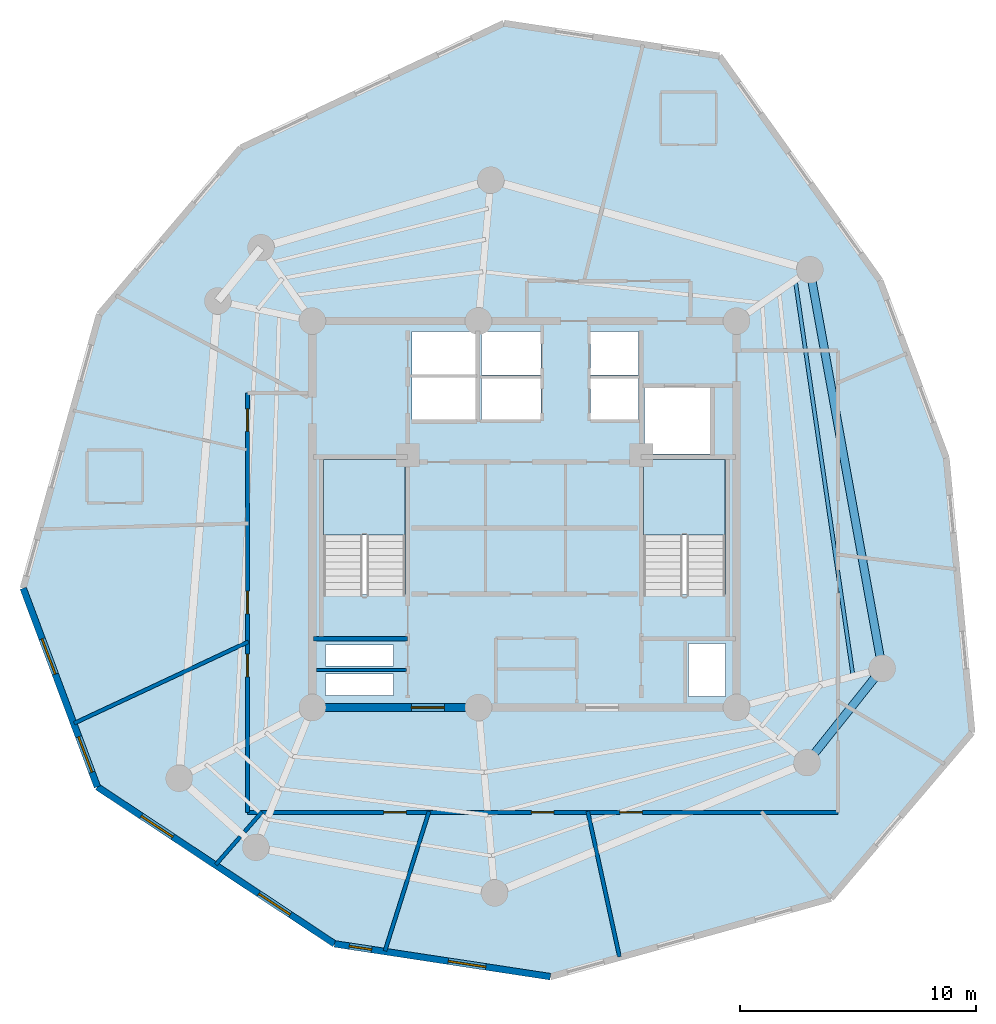
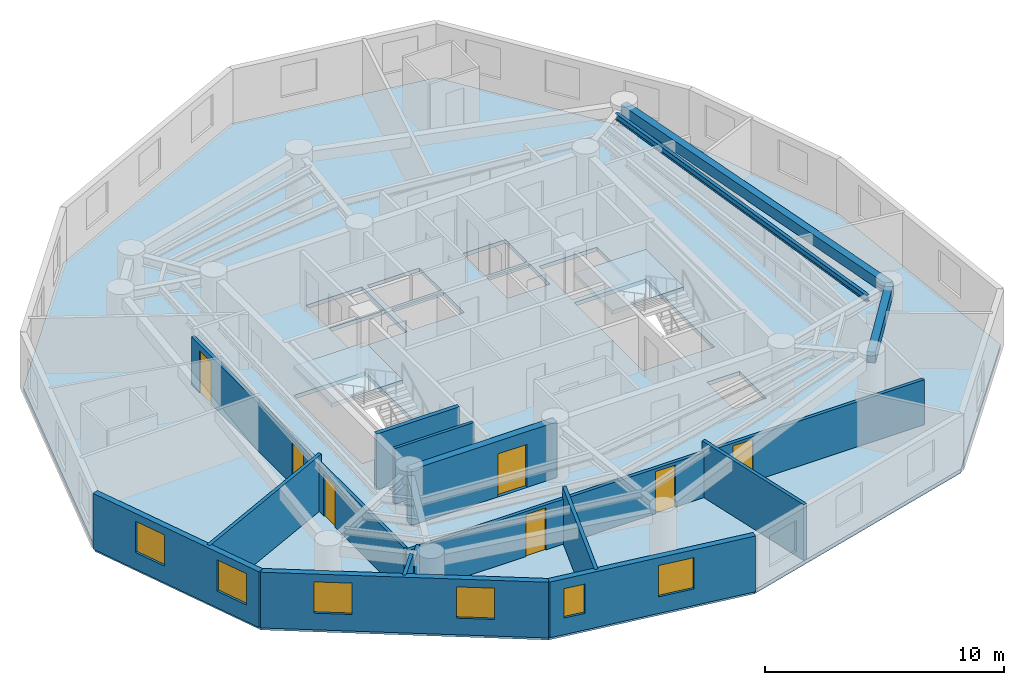
# One storey, part 2 of 7: 13 walls, 7 doors, 6 windows, 3 beams, 3 slabs, 13 openings, 2 elements without a shape of their own.
"""IFC4 building model written with IfcOpenShell, lengths in metres."""

from ifc_helpers import new_model, si_unit, direction, frame, frame_2d, origin, origin_with_axes, origin_2d, place, context, subcontext, project, spatial, polyline, rectangle, i_section, outline, extrude, source, transform, mapped, material, layer, layer_set, material_profile, profile_set, type_object, element, fill, aggregate, save


model = new_model("IFC4")

# Units and contexts
model_context = context("Model", 3, precision=1e-05, world=origin(), true_north=direction((0.0, 1.0)))
body_context = subcontext(model_context, "Body", "Model", "MODEL_VIEW")
ifc_project = project(units=[si_unit("LENGTHUNIT", "METRE"), si_unit("AREAUNIT", "SQUARE_METRE"), si_unit("VOLUMEUNIT", "CUBIC_METRE"), si_unit("PLANEANGLEUNIT", "RADIAN"), si_unit("MASSUNIT", "GRAM", prefix="KILO")], contexts=[model_context])

# Site, building, storey
site_placement = place(None, origin())
site = spatial("IfcSite", under=ifc_project, at=site_placement, CompositionType="ELEMENT")
building_placement = place(site_placement, origin())
building = spatial("IfcBuilding", under=site, at=building_placement, Name="Karkom Vertical University and Central Library", CompositionType="ELEMENT")
storey_placement = place(building_placement, frame((0.0, 0.0, 238.25)))
storey = spatial("IfcBuildingStorey", under=building, at=storey_placement, Name="L70", CompositionType="ELEMENT", Elevation=238.25)

# Beams
ifc_material_1 = material(Name="Precast concrete C45/55", Category="concrete")
ifc_material_profile_1 = material_profile(ifc_material_1, rectangle(XDim=0.35009765625, YDim=0.550048828125, at=origin_2d()), Name="SPB-350x550")
ifc_profile_set_1 = profile_set([ifc_material_profile_1], Name="Precast concrete C45/55")
beam_type_1 = type_object("IfcBeamType", Name="STR-BM-SP-2", PredefinedType="SPANDREL", material=ifc_profile_set_1)
shared_shape_1 = source(origin_with_axes(), body_context, "Body", "SweptSolid", [
    extrude(rectangle(XDim=0.35009765625, YDim=0.550048828125, at=origin_2d()), origin(), (0.0, 0.0, 1.0), 17.19970703125),
])
beam_1_placement = place(storey_placement, frame((43.681884765625, 19.9560546875, 2.574951171875), z_axis=(-0.178423249727, 0.983953832228, 0.0), x_axis=(-0.983953832228, -0.178423249727, 0.0)))
element("IfcBeam", 1, at=beam_1_placement, inside=storey, type_object=beam_type_1, Name="Level 70 Perimeter Spandrel Beam 01", PredefinedType="SPANDREL", context=body_context, shape_type="MappedRepresentation", body=[
    mapped(shared_shape_1, transform((0.0, 0.0, 0.0), scale=1.0)),
])
shared_shape_2 = source(origin_with_axes(), body_context, "Body", "SweptSolid", [
    extrude(rectangle(XDim=0.35009765625, YDim=0.550048828125, at=origin_2d()), origin(), (0.0, 0.0, 1.0), 5.112060546875),
])
beam_2_placement = place(storey_placement, frame((40.493896484375, 15.9599609375, 2.574951171875), z_axis=(0.623634459503, 0.78171609995, 0.0), x_axis=(-0.78171609995, 0.623634459503, 0.0)))
element("IfcBeam", 2, at=beam_2_placement, inside=storey, type_object=beam_type_1, Name="Level 70 Perimeter Spandrel Beam 09", PredefinedType="SPANDREL", context=body_context, shape_type="MappedRepresentation", body=[
    mapped(shared_shape_2, transform((0.0, 0.0, 0.0), scale=1.0)),
])
ifc_material_2 = material(Name="Steel S355", Category="steel")
ifc_material_profile_2 = material_profile(ifc_material_2, i_section(OverallWidth=0.159912109375, OverallDepth=0.330078125, WebThickness=0.007568359375, FlangeThickness=0.011474609375, FilletRadius=0.01806640625, at=origin_2d()), Name="IPE 330")
ifc_profile_set_2 = profile_set([ifc_material_profile_2], Name="Steel S355")
beam_type_2 = type_object("IfcBeamType", Name="STR-BM-SB-IPE330", PredefinedType="BEAM", material=ifc_profile_set_2)
shared_shape_3 = source(origin_with_axes(), body_context, "Body", "SweptSolid", [
    extrude(i_section(OverallWidth=0.159912109375, OverallDepth=0.330078125, WebThickness=0.007568359375, FlangeThickness=0.011474609375, FilletRadius=0.01806640625, at=origin_2d()), origin(), (0.0, 0.0, 1.0), 16.99755859375),
])
beam_3_placement = place(storey_placement, frame((42.445556640625, 19.624755859375, 2.68505859375), z_axis=(-0.144436985275, 0.98951400055, 0.0), x_axis=(-0.98951400055, -0.144436985275, 0.0)))
element("IfcBeam", 3, at=beam_3_placement, inside=storey, type_object=beam_type_2, Name="Level 70 Secondary Composite Floor Beam 3.01", PredefinedType="BEAM", context=body_context, shape_type="MappedRepresentation", body=[
    mapped(shared_shape_3, transform((0.0, 0.0, 0.0), scale=1.0)),
])

# Stair, slab
ifc_material_3 = material(Name="Concrete C45/55", Category="concrete")
stair_type = type_object("IfcStairType", Name="INT-STR-ST-MAIN", PredefinedType="HALF_TURN_STAIR", material=ifc_material_3)
stair_1_placement = place(storey_placement, origin())
stair_1 = element("IfcStair", 4, at=stair_1_placement, inside=storey, type_object=stair_type, Name="Level 70 Tower Protected Exit Stair ST-1", PredefinedType="HALF_TURN_STAIR")
ifc_layer_1 = layer(ifc_material_3, 0.199951171875)
ifc_layer_set_1 = layer_set([ifc_layer_1], Name="Concrete C45/55")
slab_type_1 = type_object("IfcSlabType", Name="INT-SLB-LANDING", PredefinedType="LANDING", material=ifc_layer_set_1)
slab_1_placement = place(storey_placement, frame((0.0, 0.0, 1.324951171875)))
slab_1 = element("IfcSlab", 5, at=slab_1_placement, type_object=slab_type_1, Name="ST-1 landing 1", PredefinedType="LANDING", context=body_context, shape_type="SweptSolid", body=[
    extrude(outline(polyline([(23.43994140625, 25.6298828125), (23.43994140625, 28.820068359375), (19.97998046875, 28.820068359375), (19.97998046875, 25.6298828125), (23.43994140625, 25.6298828125)])), origin(), (0.0, 0.0, 1.0), 0.199951171875),
])
aggregate(stair_1, [slab_1])

stair_2_placement = place(storey_placement, origin())
stair_2 = element("IfcStair", 6, at=stair_2_placement, inside=storey, type_object=stair_type, Name="Level 70 Tower Protected Exit Stair ST-2", PredefinedType="HALF_TURN_STAIR")
slab_2_placement = place(storey_placement, frame((0.0, 0.0, 1.324951171875)))
slab_2 = element("IfcSlab", 7, at=slab_2_placement, type_object=slab_type_1, Name="ST-2 landing 1", PredefinedType="LANDING", context=body_context, shape_type="SweptSolid", body=[
    extrude(outline(polyline([(37.02001953125, 25.6298828125), (37.02001953125, 28.820068359375), (33.56005859375, 28.820068359375), (33.56005859375, 25.6298828125), (37.02001953125, 25.6298828125)])), origin(), (0.0, 0.0, 1.0), 0.199951171875),
])
aggregate(stair_2, [slab_2])

# Slab
ifc_material_4 = material(Name="Concrete C40/50", Category="concrete")
ifc_layer_2 = layer(ifc_material_4, 0.199951171875)
ifc_layer_set_2 = layer_set([ifc_layer_2], Name="Concrete C40/50")
slab_type_2 = type_object("IfcSlabType", Name="STR-SLB-FLR-200", PredefinedType="FLOOR", material=ifc_layer_set_2)
slab_3_placement = place(storey_placement, frame((0.0, 0.0, -0.199951171875)))
element("IfcSlab", 8, at=slab_3_placement, inside=storey, type_object=slab_type_2, Name="Level 70 Tower Structural Floor Slab", PredefinedType="FLOOR", context=body_context, shape_type="SweptSolid", body=[
    extrude(outline(polyline([(7.2314453125, 23.358154296875), (10.379150390625, 14.930419921875), (20.4453125, 8.2685546875), (29.601318359375, 6.876220703125), (41.501220703125, 10.197509765625), (47.48974609375, 17.23583984375), (46.39599609375, 28.896728515625), (43.585693359375, 36.42138671875), (36.767578125, 45.9443359375), (27.631103515625, 47.333740234375), (16.467529296875, 42.041259765625), (10.466064453125, 34.987548828125), (7.2314453125, 23.358154296875)]), holes=[polyline([(19.97998046875, 23.0849609375), (23.43994140625, 23.0849609375), (23.43994140625, 28.820068359375), (19.97998046875, 28.820068359375), (19.97998046875, 23.0849609375)]), polyline([(33.56005859375, 23.0849609375), (37.02001953125, 23.0849609375), (37.02001953125, 28.820068359375), (33.56005859375, 28.820068359375), (33.56005859375, 23.0849609375)]), polyline([(26.679931640625, 30.5), (29.199951171875, 30.5), (29.199951171875, 32.25), (26.679931640625, 32.25), (26.679931640625, 30.5)]), polyline([(26.679931640625, 32.39990234375), (29.199951171875, 32.39990234375), (29.199951171875, 34.25), (26.679931640625, 34.25), (26.679931640625, 32.39990234375)]), polyline([(31.300048828125, 30.5), (33.35009765625, 30.5), (33.35009765625, 32.25), (31.300048828125, 32.25), (31.300048828125, 30.5)]), polyline([(31.300048828125, 32.39990234375), (33.35009765625, 32.39990234375), (33.35009765625, 34.25), (31.300048828125, 34.25), (31.300048828125, 32.39990234375)]), polyline([(23.719970703125, 30.47998046875), (26.429931640625, 30.47998046875), (26.429931640625, 32.320068359375), (23.719970703125, 32.320068359375), (23.719970703125, 30.47998046875)]), polyline([(23.719970703125, 32.419921875), (26.429931640625, 32.419921875), (26.429931640625, 34.260009765625), (23.719970703125, 34.260009765625), (23.719970703125, 32.419921875)]), polyline([(33.60009765625, 29.050048828125), (36.39990234375, 29.050048828125), (36.39990234375, 31.85009765625), (33.60009765625, 31.85009765625), (33.60009765625, 29.050048828125)]), polyline([(20.050048828125, 18.820068359375), (22.949951171875, 18.820068359375), (22.949951171875, 19.719970703125), (20.050048828125, 19.719970703125), (20.050048828125, 18.820068359375)]), polyline([(20.050048828125, 20.06005859375), (22.949951171875, 20.06005859375), (22.949951171875, 20.9599609375), (20.050048828125, 20.9599609375), (20.050048828125, 20.06005859375)]), polyline([(35.4599609375, 18.760009765625), (37.0400390625, 18.760009765625), (37.0400390625, 21.010009765625), (35.4599609375, 21.010009765625), (35.4599609375, 18.760009765625)])]), origin(), (0.0, 0.0, 1.0), 0.199951171875),
])

# Wall, openings, windows
ifc_material_5 = material(Name="Brick-faced precast concrete C45/55", Category="masonry")
ifc_layer_3 = layer(ifc_material_5, 0.280029296875)
ifc_layer_set_3 = layer_set([ifc_layer_3], Name="Brick-faced precast concrete C45/55")
wall_type_1 = type_object("IfcWallType", Name="ENV-WL-BRK-280", PredefinedType="SOLIDWALL", material=ifc_layer_set_3)
wall_1_placement = place(storey_placement, frame((7.2314453125, 23.358154296875, 0.0), z_axis=(0.0, 0.0, 1.0), x_axis=(0.349885954816, -0.93679230282, 0.0)))
wall_1 = element("IfcWall", 9, at=wall_1_placement, inside=storey, type_object=wall_type_1, Name="Level 70 Brick-Faced Precast Facade Wall 01", PredefinedType="SOLIDWALL", context=body_context, shape_type="SweptSolid", body=[
    extrude(rectangle(XDim=8.996337890625, YDim=0.280029296875, at=frame_2d((4.498046875, 0.0))), origin(), (0.0, 0.0, 1.0), 2.85009765625),
])
opening_1_placement = place(wall_1_placement, frame((2.289794921875, 0.0, 0.85009765625)))
opening_1 = element("IfcOpeningElement", 10, at=opening_1_placement, cuts=wall_1, Name="Opening WN-10", PredefinedType="OPENING", context=body_context, shape_type="SweptSolid", body=[
    extrude(rectangle(XDim=1.60009765625, YDim=1.60009765625, at=frame_2d((0.800048828125, 0.800048828125))), frame((0.0, 0.14990234375, 0.0), z_axis=(0.0, -1.0, 0.0), x_axis=(1.0, 0.0, 0.0)), (0.0, 0.0, 1.0), 0.300048828125),
])
opening_2_placement = place(wall_1_placement, frame((6.72802734375, 0.0, 0.85009765625)))
opening_2 = element("IfcOpeningElement", 11, at=opening_2_placement, cuts=wall_1, Name="Opening WN-10", PredefinedType="OPENING", context=body_context, shape_type="SweptSolid", body=[
    extrude(rectangle(XDim=1.60009765625, YDim=1.60009765625, at=frame_2d((0.800048828125, 0.800048828125))), frame((0.0, 0.14990234375, 0.0), z_axis=(0.0, -1.0, 0.0), x_axis=(1.0, 0.0, 0.0)), (0.0, 0.0, 1.0), 0.300048828125),
])
ifc_material_6 = material(Name="Aluminium thermal-break frame with solar-control IGU", Category="aluminium")
window_type_1 = type_object("IfcWindowType", Name="ENV-WIN-WN-10", PartitioningType="SINGLE_PANEL", PredefinedType="WINDOW", material=ifc_material_6)
shared_shape_4 = source(origin_with_axes(), body_context, "Body", "SweptSolid", [
    extrude(rectangle(XDim=1.60009765625, YDim=1.60009765625, at=frame_2d((0.800048828125, 0.800048828125))), frame((0.0, 0.030029296875, 0.0), z_axis=(0.0, -1.0, 0.0), x_axis=(1.0, 0.0, 0.0)), (0.0, 0.0, 1.0), 0.06005859375),
])
window_1_placement = place(opening_1_placement, origin())
window_1 = element("IfcWindow", 12, at=window_1_placement, inside=storey, type_object=window_type_1, Name="Level 70 Punched Window 1.1", OverallHeight=1.60009765625, OverallWidth=1.60009765625, PartitioningType="SINGLE_PANEL", PredefinedType="WINDOW", context=body_context, shape_type="MappedRepresentation", body=[
    mapped(shared_shape_4, transform((0.0, 0.0, 0.0), scale=1.0)),
])
fill(opening_1, window_1)
window_2_placement = place(opening_2_placement, origin())
window_2 = element("IfcWindow", 13, at=window_2_placement, inside=storey, type_object=window_type_1, Name="Level 70 Punched Window 1.2", OverallHeight=1.60009765625, OverallWidth=1.60009765625, PartitioningType="SINGLE_PANEL", PredefinedType="WINDOW", context=body_context, shape_type="MappedRepresentation", body=[
    mapped(shared_shape_4, transform((0.0, 0.0, 0.0), scale=1.0)),
])
fill(opening_2, window_2)

wall_2_placement = place(storey_placement, frame((10.379150390625, 14.930419921875, 0.0), z_axis=(0.0, 0.0, 1.0), x_axis=(0.83391564232, -0.551891929179, 0.0)))
wall_2 = element("IfcWall", 14, at=wall_2_placement, inside=storey, type_object=wall_type_1, Name="Level 70 Brick-Faced Precast Facade Wall 02", PredefinedType="SOLIDWALL", context=body_context, shape_type="SweptSolid", body=[
    extrude(rectangle(XDim=12.071044921875, YDim=0.280029296875, at=frame_2d((6.03564453125, 0.0))), origin(), (0.0, 0.0, 1.0), 2.85009765625),
])
opening_3_placement = place(wall_2_placement, frame((2.23779296875, 0.0, 0.85009765625)))
opening_3 = element("IfcOpeningElement", 15, at=opening_3_placement, cuts=wall_2, Name="Opening WN-10", PredefinedType="OPENING", context=body_context, shape_type="SweptSolid", body=[
    extrude(rectangle(XDim=1.60009765625, YDim=1.60009765625, at=frame_2d((0.800048828125, 0.800048828125))), frame((0.0, 0.14990234375, 0.0), z_axis=(0.0, -1.0, 0.0), x_axis=(1.0, 0.0, 0.0)), (0.0, 0.0, 1.0), 0.300048828125),
])
opening_4_placement = place(wall_2_placement, frame((8.21337890625, 0.0, 0.85009765625)))
opening_4 = element("IfcOpeningElement", 16, at=opening_4_placement, cuts=wall_2, Name="Opening WN-10", PredefinedType="OPENING", context=body_context, shape_type="SweptSolid", body=[
    extrude(rectangle(XDim=1.60009765625, YDim=1.60009765625, at=frame_2d((0.800048828125, 0.800048828125))), frame((0.0, 0.14990234375, 0.0), z_axis=(0.0, -1.0, 0.0), x_axis=(1.0, 0.0, 0.0)), (0.0, 0.0, 1.0), 0.300048828125),
])
window_3_placement = place(opening_3_placement, origin())
window_3 = element("IfcWindow", 17, at=window_3_placement, inside=storey, type_object=window_type_1, Name="Level 70 Punched Window 2.1", OverallHeight=1.60009765625, OverallWidth=1.60009765625, PartitioningType="SINGLE_PANEL", PredefinedType="WINDOW", context=body_context, shape_type="MappedRepresentation", body=[
    mapped(shared_shape_4, transform((0.0, 0.0, 0.0), scale=1.0)),
])
fill(opening_3, window_3)
window_4_placement = place(opening_4_placement, origin())
window_4 = element("IfcWindow", 18, at=window_4_placement, inside=storey, type_object=window_type_1, Name="Level 70 Punched Window 2.2", OverallHeight=1.60009765625, OverallWidth=1.60009765625, PartitioningType="SINGLE_PANEL", PredefinedType="WINDOW", context=body_context, shape_type="MappedRepresentation", body=[
    mapped(shared_shape_4, transform((0.0, 0.0, 0.0), scale=1.0)),
])
fill(opening_4, window_4)

wall_3_placement = place(storey_placement, frame((20.4453125, 8.2685546875, 0.0), z_axis=(0.0, 0.0, 1.0), x_axis=(0.98863442974, -0.150339496915, 0.0)))
wall_3 = element("IfcWall", 19, at=wall_3_placement, inside=storey, type_object=wall_type_1, Name="Level 70 Brick-Faced Precast Facade Wall 03", PredefinedType="SOLIDWALL", context=body_context, shape_type="SweptSolid", body=[
    extrude(rectangle(XDim=9.26123046875, YDim=0.280029296875, at=frame_2d((4.630615234375, 0.0))), origin(), (0.0, 0.0, 1.0), 2.85009765625),
])
opening_5_placement = place(wall_3_placement, frame((0.63671875, 0.0, 0.85009765625)))
opening_5 = element("IfcOpeningElement", 20, at=opening_5_placement, cuts=wall_3, Name="Opening WN-12", PredefinedType="OPENING", context=body_context, shape_type="SweptSolid", body=[
    extrude(rectangle(XDim=0.949951171875, YDim=1.5, at=frame_2d((0.47509765625, 0.75))), frame((0.0, 0.14990234375, 0.0), z_axis=(0.0, -1.0, 0.0), x_axis=(1.0, 0.0, 0.0)), (0.0, 0.0, 1.0), 0.300048828125),
])
opening_6_placement = place(wall_3_placement, frame((4.88232421875, 0.0, 0.85009765625)))
opening_6 = element("IfcOpeningElement", 21, at=opening_6_placement, cuts=wall_3, Name="Opening WN-10", PredefinedType="OPENING", context=body_context, shape_type="SweptSolid", body=[
    extrude(rectangle(XDim=1.60009765625, YDim=1.60009765625, at=frame_2d((0.800048828125, 0.800048828125))), frame((0.0, 0.14990234375, 0.0), z_axis=(0.0, -1.0, 0.0), x_axis=(1.0, 0.0, 0.0)), (0.0, 0.0, 1.0), 0.300048828125),
])
window_type_2 = type_object("IfcWindowType", Name="ENV-WIN-WN-12", PartitioningType="SINGLE_PANEL", PredefinedType="WINDOW", material=ifc_material_6)
shared_shape_5 = source(origin_with_axes(), body_context, "Body", "SweptSolid", [
    extrude(rectangle(XDim=0.949951171875, YDim=1.5, at=frame_2d((0.47509765625, 0.75))), frame((0.0, 0.030029296875, 0.0), z_axis=(0.0, -1.0, 0.0), x_axis=(1.0, 0.0, 0.0)), (0.0, 0.0, 1.0), 0.06005859375),
])
window_5_placement = place(opening_5_placement, origin())
window_5 = element("IfcWindow", 22, at=window_5_placement, inside=storey, type_object=window_type_2, Name="Level 70 Punched Window 3.1", OverallHeight=1.5, OverallWidth=0.949951171875, PartitioningType="SINGLE_PANEL", PredefinedType="WINDOW", context=body_context, shape_type="MappedRepresentation", body=[
    mapped(shared_shape_5, transform((0.0, 0.0, 0.0), scale=1.0)),
])
fill(opening_5, window_5)
window_6_placement = place(opening_6_placement, origin())
window_6 = element("IfcWindow", 23, at=window_6_placement, inside=storey, type_object=window_type_1, Name="Level 70 Punched Window 3.2", OverallHeight=1.60009765625, OverallWidth=1.60009765625, PartitioningType="SINGLE_PANEL", PredefinedType="WINDOW", context=body_context, shape_type="MappedRepresentation", body=[
    mapped(shared_shape_4, transform((0.0, 0.0, 0.0), scale=1.0)),
])
fill(opening_6, window_6)

# Wall, openings, doors
ifc_material_7 = material(Name="Insulated metal-stud drywall 160mm", Category="gypsum")
ifc_layer_4 = layer(ifc_material_7, 0.159912109375)
ifc_layer_set_4 = layer_set([ifc_layer_4], Name="Insulated metal-stud drywall 160mm")
wall_type_2 = type_object("IfcWallType", Name="INT-WL-COR-160", PredefinedType="PARTITIONING", material=ifc_layer_set_4)
wall_4_placement = place(storey_placement, frame((41.800048828125, 13.85009765625, 0.0), z_axis=(0.0, 0.0, 1.0), x_axis=(-1.0, 0.0, 0.0)))
wall_4 = element("IfcWall", 24, at=wall_4_placement, inside=storey, type_object=wall_type_2, Name="Level 70 Interior Partition Wall L70-CORW-CW-001", PredefinedType="PARTITIONING", context=body_context, shape_type="SweptSolid", body=[
    extrude(rectangle(XDim=25.050048828125, YDim=0.159912109375, at=frame_2d((12.52490234375, 0.0))), origin(), (0.0, 0.0, 1.0), 2.300048828125),
])
opening_7_placement = place(wall_4_placement, frame((18.3125, 0.0, 0.0)))
opening_7 = element("IfcOpeningElement", 25, at=opening_7_placement, cuts=wall_4, Name="Opening FD-RM2", PredefinedType="OPENING", context=body_context, shape_type="SweptSolid", body=[
    extrude(rectangle(XDim=0.9599609375, YDim=2.14990234375, at=frame_2d((0.47998046875, 1.074951171875))), frame((0.0, 0.08984375, 0.0), z_axis=(0.0, -1.0, 0.0), x_axis=(1.0, 0.0, 0.0)), (0.0, 0.0, 1.0), 0.179931640625),
])
opening_8_placement = place(wall_4_placement, frame((12.050048828125, 0.0, 0.0)))
opening_8 = element("IfcOpeningElement", 26, at=opening_8_placement, cuts=wall_4, Name="Opening FD-RM2", PredefinedType="OPENING", context=body_context, shape_type="SweptSolid", body=[
    extrude(rectangle(XDim=0.9599609375, YDim=2.14990234375, at=frame_2d((0.47998046875, 1.074951171875))), frame((0.0, 0.08984375, 0.0), z_axis=(0.0, -1.0, 0.0), x_axis=(1.0, 0.0, 0.0)), (0.0, 0.0, 1.0), 0.179931640625),
])
opening_9_placement = place(wall_4_placement, frame((8.29248046875, 0.0, 0.0)))
opening_9 = element("IfcOpeningElement", 27, at=opening_9_placement, cuts=wall_4, Name="Opening FD-RM2", PredefinedType="OPENING", context=body_context, shape_type="SweptSolid", body=[
    extrude(rectangle(XDim=0.9599609375, YDim=2.14990234375, at=frame_2d((0.47998046875, 1.074951171875))), frame((0.0, 0.08984375, 0.0), z_axis=(0.0, -1.0, 0.0), x_axis=(1.0, 0.0, 0.0)), (0.0, 0.0, 1.0), 0.179931640625),
])
ifc_material_8 = material(Name="Fire-rated oak veneer door", Category="wood")
door_type_1 = type_object("IfcDoorType", Name="INT-DR-FRM2", OperationType="NOTDEFINED", PredefinedType="DOOR", material=ifc_material_8)
shared_shape_6 = source(origin_with_axes(), body_context, "Body", "SweptSolid", [
    extrude(rectangle(XDim=0.9599609375, YDim=2.14990234375, at=frame_2d((0.47998046875, 1.074951171875))), frame((0.0, 0.02490234375, 0.0), z_axis=(0.0, -1.0, 0.0), x_axis=(1.0, 0.0, 0.0)), (0.0, 0.0, 1.0), 0.050048828125),
])
door_1_placement = place(opening_7_placement, origin())
door_1 = element("IfcDoor", 28, at=door_1_placement, inside=storey, type_object=door_type_1, Name="Level 70 Room Entry Door 302", OperationType="SINGLE_SWING_LEFT", OverallHeight=2.14990234375, OverallWidth=0.9599609375, PredefinedType="DOOR", context=body_context, shape_type="MappedRepresentation", body=[
    mapped(shared_shape_6, transform((0.0, 0.0, 0.0), scale=1.0)),
])
fill(opening_7, door_1)
door_2_placement = place(opening_8_placement, origin())
door_2 = element("IfcDoor", 29, at=door_2_placement, inside=storey, type_object=door_type_1, Name="Level 70 Room Entry Door 303", OperationType="SINGLE_SWING_RIGHT", OverallHeight=2.14990234375, OverallWidth=0.9599609375, PredefinedType="DOOR", context=body_context, shape_type="MappedRepresentation", body=[
    mapped(shared_shape_6, transform((0.0, 0.0, 0.0), scale=1.0)),
])
fill(opening_8, door_2)
door_3_placement = place(opening_9_placement, origin())
door_3 = element("IfcDoor", 30, at=door_3_placement, inside=storey, type_object=door_type_1, Name="Level 70 Room Entry Door 304", OperationType="SINGLE_SWING_LEFT", OverallHeight=2.14990234375, OverallWidth=0.9599609375, PredefinedType="DOOR", context=body_context, shape_type="MappedRepresentation", body=[
    mapped(shared_shape_6, transform((0.0, 0.0, 0.0), scale=1.0)),
])
fill(opening_9, door_3)

wall_5_placement = place(storey_placement, frame((16.75, 13.85009765625, 0.0), z_axis=(0.0, 0.0, 1.0), x_axis=(0.0, 1.0, 0.0)))
wall_5 = element("IfcWall", 31, at=wall_5_placement, inside=storey, type_object=wall_type_2, Name="Level 70 Interior Partition Wall L70-CORW-CW-002", PredefinedType="PARTITIONING", context=body_context, shape_type="SweptSolid", body=[
    extrude(rectangle(XDim=17.7998046875, YDim=0.159912109375, at=frame_2d((8.89990234375, 0.0))), origin(), (0.0, 0.0, 1.0), 2.449951171875),
])
opening_10_placement = place(wall_5_placement, frame((16.164306640625, 0.0, 0.0)))
opening_10 = element("IfcOpeningElement", 32, at=opening_10_placement, cuts=wall_5, Name="Opening FD-RM2", PredefinedType="OPENING", context=body_context, shape_type="SweptSolid", body=[
    extrude(rectangle(XDim=0.9599609375, YDim=2.14990234375, at=frame_2d((0.47998046875, 1.074951171875))), frame((0.0, 0.08984375, 0.0), z_axis=(0.0, -1.0, 0.0), x_axis=(1.0, 0.0, 0.0)), (0.0, 0.0, 1.0), 0.179931640625),
])
opening_11_placement = place(wall_5_placement, frame((8.425048828125, 0.0, 0.0)))
opening_11 = element("IfcOpeningElement", 33, at=opening_11_placement, cuts=wall_5, Name="Opening FD-RM2", PredefinedType="OPENING", context=body_context, shape_type="SweptSolid", body=[
    extrude(rectangle(XDim=0.9599609375, YDim=2.14990234375, at=frame_2d((0.47998046875, 1.074951171875))), frame((0.0, 0.08984375, 0.0), z_axis=(0.0, -1.0, 0.0), x_axis=(1.0, 0.0, 0.0)), (0.0, 0.0, 1.0), 0.179931640625),
])
opening_12_placement = place(wall_5_placement, frame((5.7548828125, 0.0, 0.0)))
opening_12 = element("IfcOpeningElement", 34, at=opening_12_placement, cuts=wall_5, Name="Opening FD-RM2", PredefinedType="OPENING", context=body_context, shape_type="SweptSolid", body=[
    extrude(rectangle(XDim=0.9599609375, YDim=2.14990234375, at=frame_2d((0.47998046875, 1.074951171875))), frame((0.0, 0.08984375, 0.0), z_axis=(0.0, -1.0, 0.0), x_axis=(1.0, 0.0, 0.0)), (0.0, 0.0, 1.0), 0.179931640625),
])
door_4_placement = place(opening_10_placement, origin())
door_4 = element("IfcDoor", 35, at=door_4_placement, inside=storey, type_object=door_type_1, Name="Level 70 Room Entry Door 420", OperationType="SINGLE_SWING_RIGHT", OverallHeight=2.14990234375, OverallWidth=0.9599609375, PredefinedType="DOOR", context=body_context, shape_type="MappedRepresentation", body=[
    mapped(shared_shape_6, transform((0.0, 0.0, 0.0), scale=1.0)),
])
fill(opening_10, door_4)
door_5_placement = place(opening_11_placement, origin())
door_5 = element("IfcDoor", 36, at=door_5_placement, inside=storey, type_object=door_type_1, Name="Level 70 Room Entry Door 300", OperationType="SINGLE_SWING_LEFT", OverallHeight=2.14990234375, OverallWidth=0.9599609375, PredefinedType="DOOR", context=body_context, shape_type="MappedRepresentation", body=[
    mapped(shared_shape_6, transform((0.0, 0.0, 0.0), scale=1.0)),
])
fill(opening_11, door_5)
door_6_placement = place(opening_12_placement, origin())
door_6 = element("IfcDoor", 37, at=door_6_placement, inside=storey, type_object=door_type_1, Name="Level 70 Room Entry Door 301", OperationType="SINGLE_SWING_RIGHT", OverallHeight=2.14990234375, OverallWidth=0.9599609375, PredefinedType="DOOR", context=body_context, shape_type="MappedRepresentation", body=[
    mapped(shared_shape_6, transform((0.0, 0.0, 0.0), scale=1.0)),
])
fill(opening_12, door_6)

# Walls
wall_6_placement = place(storey_placement, frame((16.790771484375, 21.089599609375, 0.0), z_axis=(0.0, 0.0, 1.0), x_axis=(-0.905822132806, -0.423658192084, 0.0)))
element("IfcWall", 38, at=wall_6_placement, inside=storey, type_object=wall_type_2, Name="Level 70 Interior Partition Wall L70-PW-001", PredefinedType="PARTITIONING", context=body_context, shape_type="SweptSolid", body=[
    extrude(rectangle(XDim=8.162353515625, YDim=0.159912109375, at=frame_2d((4.0810546875, 0.0))), origin(), (0.0, 0.0, 1.0), 2.85009765625),
])
wall_7_placement = place(storey_placement, frame((31.18798828125, 13.89404296875, 0.0), z_axis=(0.0, 0.0, 1.0), x_axis=(0.213095319567, -0.977031414428, 0.0)))
element("IfcWall", 39, at=wall_7_placement, inside=storey, type_object=wall_type_2, Name="Level 70 Interior Partition Wall L70-PW-007", PredefinedType="PARTITIONING", context=body_context, shape_type="SweptSolid", body=[
    extrude(rectangle(XDim=6.318359375, YDim=0.159912109375, at=frame_2d((3.1591796875, 0.0))), origin(), (0.0, 0.0, 1.0), 2.85009765625),
])
wall_8_placement = place(storey_placement, frame((24.453857421875, 13.892822265625, 0.0), z_axis=(0.0, 0.0, 1.0), x_axis=(-0.301249865611, -0.953545236719, 0.0)))
element("IfcWall", 40, at=wall_8_placement, inside=storey, type_object=wall_type_2, Name="Level 70 Interior Partition Wall L70-PW-006", PredefinedType="PARTITIONING", context=body_context, shape_type="SweptSolid", body=[
    extrude(rectangle(XDim=6.2119140625, YDim=0.159912109375, at=frame_2d((3.10595703125, 0.0))), origin(), (0.0, 0.0, 1.0), 2.85009765625),
])
wall_9_placement = place(storey_placement, frame((16.443115234375, 12.81884765625, 0.0), z_axis=(0.0, 0.0, 1.0), x_axis=(-0.65872414358, -0.752384544409, 0.0)))
element("IfcWall", 41, at=wall_9_placement, inside=storey, type_object=wall_type_2, Name="Level 70 Interior Partition Wall L70-PW-005", PredefinedType="PARTITIONING", context=body_context, shape_type="SweptSolid", body=[
    extrude(rectangle(XDim=1.574462890625, YDim=0.159912109375, at=frame_2d((0.787109375, 0.0))), origin(), (0.0, 0.0, 1.0), 2.85009765625),
])
wall_10_placement = place(storey_placement, frame((17.365478515625, 13.87255859375, 0.0), z_axis=(0.0, 0.0, 1.0), x_axis=(-0.658688907656, -0.75241539254, 0.0)))
element("IfcWall", 42, at=wall_10_placement, inside=storey, type_object=wall_type_2, Name="Level 70 Interior Partition Wall L70-PW-004", PredefinedType="PARTITIONING", context=body_context, shape_type="SweptSolid", body=[
    extrude(rectangle(XDim=1.125244140625, YDim=0.159912109375, at=frame_2d((0.5625, 0.0))), origin(), (0.0, 0.0, 1.0), 2.35009765625),
])
ifc_material_9 = material(Name="Metal-stud gypsum partition 140mm", Category="gypsum")
ifc_layer_5 = layer(ifc_material_9, 0.139892578125)
ifc_layer_set_5 = layer_set([ifc_layer_5], Name="Metal-stud gypsum partition 140mm")
wall_type_3 = type_object("IfcWallType", Name="INT-WL-SUB-140H", PredefinedType="PARTITIONING", material=ifc_layer_set_5)
wall_11_placement = place(storey_placement, frame((19.681884765625, 19.889892578125, 0.0), z_axis=(0.0, 0.0, 1.0), x_axis=(1.0, 0.0, 0.0)))
element("IfcWall", 43, at=wall_11_placement, inside=storey, type_object=wall_type_3, Name="Level 70 Interior Partition Wall L70-CW-RIS-W", PredefinedType="PARTITIONING", context=body_context, shape_type="SweptSolid", body=[
    extrude(rectangle(XDim=3.8154296875, YDim=0.139892578125, at=frame_2d((1.90771484375, 0.0))), origin(), (0.0, 0.0, 1.0), 2.85009765625),
])

# Wall, opening, door
ifc_layer_6 = layer(ifc_material_3, 0.35009765625)
ifc_layer_set_6 = layer_set([ifc_layer_6], Name="Concrete C45/55")
wall_type_4 = type_object("IfcWallType", Name="STR-WL-CW-350", PredefinedType="SHEAR", material=ifc_layer_set_6)
wall_12_placement = place(storey_placement, frame((19.5, 18.300048828125, 0.0), z_axis=(0.0, 0.0, 1.0), x_axis=(1.0, 0.0, 0.0)))
wall_12 = element("IfcWall", 44, at=wall_12_placement, inside=storey, type_object=wall_type_4, Name="Level 70 Central Core Shear Wall SW1", PredefinedType="SHEAR", context=body_context, shape_type="SweptSolid", body=[
    extrude(rectangle(XDim=7.050048828125, YDim=0.35009765625, at=frame_2d((3.52490234375, 0.0))), origin(), (0.0, 0.0, 1.0), 2.85009765625),
])
opening_13_placement = place(wall_12_placement, frame((4.199951171875, 0.0, 0.0)))
opening_13 = element("IfcOpeningElement", 45, at=opening_13_placement, cuts=wall_12, Name="Opening FD-CLB", PredefinedType="OPENING", context=body_context, shape_type="SweptSolid", body=[
    extrude(rectangle(XDim=1.39990234375, YDim=2.199951171875, at=frame_2d((0.699951171875, 1.10009765625))), frame((0.0, 0.18505859375, 0.0), z_axis=(0.0, -1.0, 0.0), x_axis=(1.0, 0.0, 0.0)), (0.0, 0.0, 1.0), 0.3701171875),
])
ifc_material_10 = material(Name="Painted steel fire door", Category="steel")
door_type_2 = type_object("IfcDoorType", Name="INT-DR-CLB", OperationType="DOUBLE_DOOR_SINGLE_SWING", PredefinedType="DOOR", material=ifc_material_10)
shared_shape_7 = source(origin_with_axes(), body_context, "Body", "SweptSolid", [
    extrude(rectangle(XDim=1.39990234375, YDim=2.199951171875, at=frame_2d((0.699951171875, 1.10009765625))), frame((0.0, 0.02490234375, 0.0), z_axis=(0.0, -1.0, 0.0), x_axis=(1.0, 0.0, 0.0)), (0.0, 0.0, 1.0), 0.050048828125),
])
door_7_placement = place(opening_13_placement, origin())
door_7 = element("IfcDoor", 46, at=door_7_placement, inside=storey, type_object=door_type_2, Name="Level 70 South Core Lobby West Exit Door", OperationType="DOUBLE_DOOR_SINGLE_SWING", OverallHeight=2.199951171875, OverallWidth=1.39990234375, PredefinedType="DOOR", context=body_context, shape_type="MappedRepresentation", body=[
    mapped(shared_shape_7, transform((0.0, 0.0, 0.0), scale=1.0)),
])
fill(opening_13, door_7)

# Wall
ifc_layer_7 = layer(ifc_material_3, 0.199951171875)
ifc_layer_set_7 = layer_set([ifc_layer_7], Name="Concrete C45/55")
wall_type_5 = type_object("IfcWallType", Name="STR-WL-ST-200", PredefinedType="SHEAR", material=ifc_layer_set_7)
wall_13_placement = place(storey_placement, frame((19.550048828125, 21.215087890625, 0.0), z_axis=(0.0, 0.0, 1.0), x_axis=(1.0, 0.0, 0.0)))
element("IfcWall", 47, at=wall_13_placement, inside=storey, type_object=wall_type_5, Name="Level 70 Core Shaft Wall L70-CW-ST1-S", PredefinedType="SHEAR", context=body_context, shape_type="SweptSolid", body=[
    extrude(rectangle(XDim=3.994873046875, YDim=0.199951171875, at=frame_2d((1.99755859375, 0.0))), origin(), (0.0, 0.0, 1.0), 2.85009765625),
])

save(model, "model.ifc")
